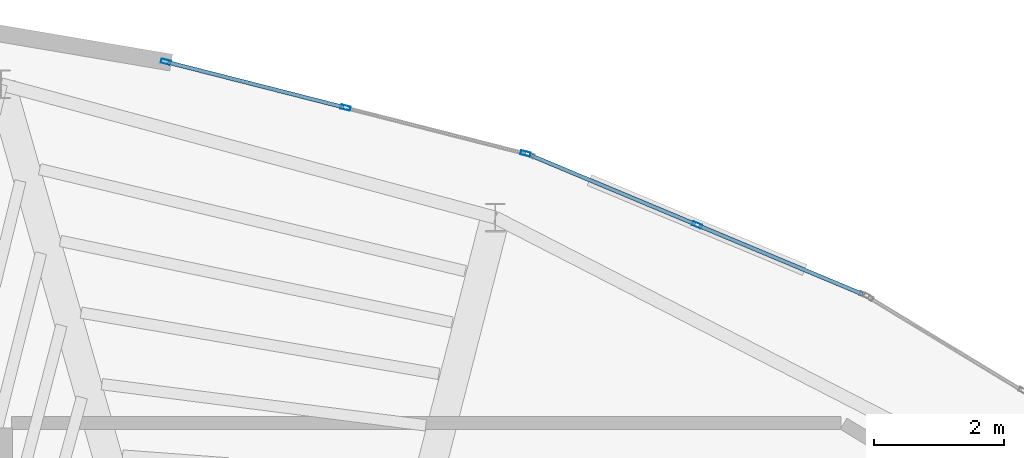
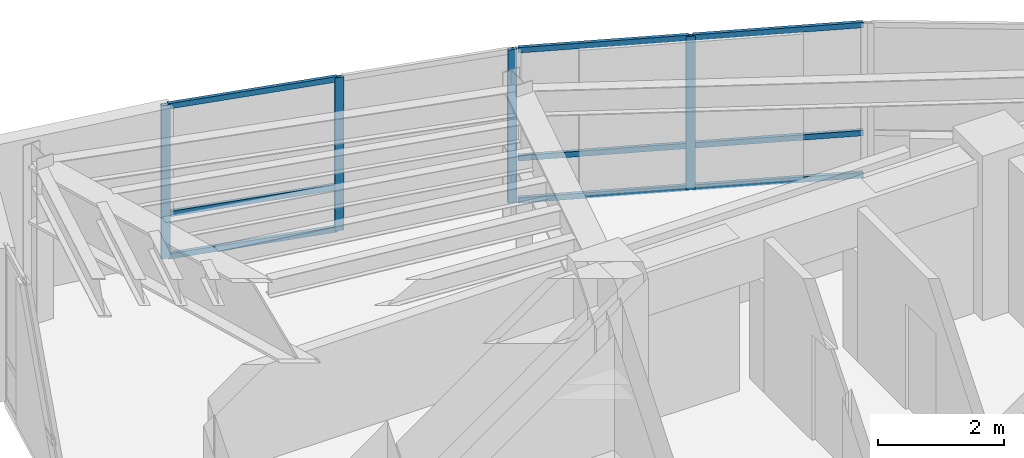
# One storey, part 9 of 14: 13 members, 2 elements without a shape of their own.
"""IFC4 building model written with IfcOpenShell, lengths in metres."""

from ifc_helpers import new_model, si_unit, direction, frame, origin, origin_2d, place, context, subcontext, project, spatial, hollow_rectangle, extrude, material, layer, layer_set, material_profile, profile_set, type_object, element, aggregate, save


model = new_model("IFC4")

# Units and contexts
model_context = context("Model", 3, precision=1e-05, world=origin(), true_north=direction((0.0, 1.0)))
body_context = subcontext(model_context, "Body", "Model", "MODEL_VIEW")
ifc_project = project(units=[si_unit("LENGTHUNIT", "METRE"), si_unit("AREAUNIT", "SQUARE_METRE"), si_unit("VOLUMEUNIT", "CUBIC_METRE"), si_unit("PLANEANGLEUNIT", "RADIAN"), si_unit("MASSUNIT", "GRAM", prefix="KILO")], contexts=[model_context])

# Site, building, storey
site_placement = place(None, origin())
site = spatial("IfcSite", under=ifc_project, at=site_placement, CompositionType="ELEMENT")
building_placement = place(site_placement, origin())
building = spatial("IfcBuilding", under=site, at=building_placement, Name="Menara Vayukalpa", CompositionType="ELEMENT")
storey_placement = place(building_placement, frame((0.0, 0.0, 308.820068359375)))
storey = spatial("IfcBuildingStorey", under=building, at=storey_placement, Name="L79", CompositionType="ELEMENT", Elevation=308.820068359375)

# Curtain wall, member
ifc_material_1 = material(Name="Anodised Terracotta Aluminium Alloy 6063-T6", Category="masonry")
ifc_layer = layer(ifc_material_1, 0.14990234375)
ifc_layer_set = layer_set([ifc_layer], Name="Anodised Terracotta Aluminium Alloy 6063-T6")
curtain_wall_type = type_object("IfcCurtainWallType", Name="CW-CW7", PredefinedType="USERDEFINED", material=ifc_layer_set)
curtain_wall_1_placement = place(storey_placement, origin())
curtain_wall_1 = element("IfcCurtainWall", 1, at=curtain_wall_1_placement, inside=storey, type_object=curtain_wall_type, Name="L79 Crown Drum Screened Curtain Wall CW7 05", ObjectType="UNITISED", PredefinedType="USERDEFINED")
ifc_material_2 = material(Name="Anodised Terracotta Aluminium Alloy 6063-T6", Category="masonry")
ifc_material_profile_1 = material_profile(ifc_material_2, hollow_rectangle(XDim=0.06494140625, YDim=0.14990234375, WallThickness=0.00341796875, at=origin_2d()), Name="ALU 65x150x3.5")
ifc_profile_set_1 = profile_set([ifc_material_profile_1], Name="Anodised Terracotta Aluminium Alloy 6063-T6")
member_type_1 = type_object("IfcMemberType", Name="CWM-CW7", PredefinedType="MULLION", material=ifc_profile_set_1)
member_1_placement = place(storey_placement, frame((26.48583984375, 31.83544921875, 0.0), z_axis=(0.0, 0.0, 1.0), x_axis=(-0.385898361946, -0.922541302191, 0.0)))
member_1 = element("IfcMember", 2, at=member_1_placement, type_object=member_type_1, Name="CW7 mullion 2", PredefinedType="MULLION", context=body_context, shape_type="SweptSolid", body=[
    extrude(hollow_rectangle(XDim=0.06494140625, YDim=0.14990234375, WallThickness=0.00341796875, at=origin_2d()), origin(), (0.0, 0.0, 1.0), 2.97998046875),
])

# Curtain wall, members
curtain_wall_2_placement = place(storey_placement, origin())
curtain_wall_2 = element("IfcCurtainWall", 3, at=curtain_wall_2_placement, inside=storey, type_object=curtain_wall_type, Name="L79 Crown Drum Screened Curtain Wall CW7 06", ObjectType="UNITISED", PredefinedType="USERDEFINED")
member_2_placement = place(storey_placement, frame((23.83837890625, 32.937744140625, 0.0), z_axis=(0.0, 0.0, 1.0), x_axis=(-0.247123764219, -0.968983924097, 0.0)))
member_2 = element("IfcMember", 4, at=member_2_placement, type_object=member_type_1, Name="CW7 mullion 1", PredefinedType="MULLION", context=body_context, shape_type="SweptSolid", body=[
    extrude(hollow_rectangle(XDim=0.06494140625, YDim=0.14990234375, WallThickness=0.00341796875, at=origin_2d()), origin(), (0.0, 0.0, 1.0), 2.97998046875),
])
member_3_placement = place(storey_placement, frame((21.0615234375, 33.645751953125, 0.0), z_axis=(0.0, 0.0, 1.0), x_axis=(-0.247123764219, -0.968983924097, 0.0)))
member_3 = element("IfcMember", 5, at=member_3_placement, type_object=member_type_1, Name="CW7 mullion 2", PredefinedType="MULLION", context=body_context, shape_type="SweptSolid", body=[
    extrude(hollow_rectangle(XDim=0.06494140625, YDim=0.14990234375, WallThickness=0.00341796875, at=origin_2d()), origin(), (0.0, 0.0, 1.0), 2.97998046875),
])
member_4_placement = place(storey_placement, frame((18.284423828125, 34.35400390625, 0.0), z_axis=(0.0, 0.0, 1.0), x_axis=(-0.247123764219, -0.968983924097, 0.0)))
member_4 = element("IfcMember", 6, at=member_4_placement, type_object=member_type_1, Name="CW7 mullion 3", PredefinedType="MULLION", context=body_context, shape_type="SweptSolid", body=[
    extrude(hollow_rectangle(XDim=0.06494140625, YDim=0.14990234375, WallThickness=0.00341796875, at=origin_2d()), origin(), (0.0, 0.0, 1.0), 2.97998046875),
])

# Member
ifc_material_3 = material(Name="Anodised Terracotta Aluminium Alloy 6063-T6", Category="masonry")
ifc_material_profile_2 = material_profile(ifc_material_3, hollow_rectangle(XDim=0.06005859375, YDim=0.10498046875, WallThickness=0.0029296875, at=origin_2d()), Name="ALU 60x105x3")
ifc_profile_set_2 = profile_set([ifc_material_profile_2], Name="Anodised Terracotta Aluminium Alloy 6063-T6")
member_type_2 = type_object("IfcMemberType", Name="CWT-CW7", PredefinedType="USERDEFINED", material=ifc_profile_set_2)
member_5_placement = place(storey_placement, frame((29.041748046875, 30.76611328125, 0.030029296875), z_axis=(-0.922532551431, 0.385919281132, 0.0), x_axis=(-0.385919281132, -0.922532551431, 0.0)))
member_5 = element("IfcMember", 7, at=member_5_placement, type_object=member_type_2, Name="CW7 transom 1.1", ObjectType="TRANSOM", PredefinedType="USERDEFINED", context=body_context, shape_type="SweptSolid", body=[
    extrude(hollow_rectangle(XDim=0.06005859375, YDim=0.10498046875, WallThickness=0.0029296875, at=origin_2d()), origin(), (0.0, 0.0, 1.0), 2.738037109375),
])

member_6_placement = place(storey_placement, frame((29.041748046875, 30.76611328125, 0.849853515625), z_axis=(-0.922532551431, 0.385919281132, 0.0), x_axis=(-0.385919281132, -0.922532551431, 0.0)))
member_6 = element("IfcMember", 8, at=member_6_placement, type_object=member_type_2, Name="CW7 transom 1.2", ObjectType="TRANSOM", PredefinedType="USERDEFINED", context=body_context, shape_type="SweptSolid", body=[
    extrude(hollow_rectangle(XDim=0.06005859375, YDim=0.10498046875, WallThickness=0.0029296875, at=origin_2d()), origin(), (0.0, 0.0, 1.0), 2.738037109375),
])

member_7_placement = place(storey_placement, frame((29.041748046875, 30.76611328125, 2.949951171875), z_axis=(-0.922532551431, 0.385919281132, 0.0), x_axis=(-0.385919281132, -0.922532551431, 0.0)))
member_7 = element("IfcMember", 9, at=member_7_placement, type_object=member_type_2, Name="CW7 transom 1.3", ObjectType="TRANSOM", PredefinedType="USERDEFINED", context=body_context, shape_type="SweptSolid", body=[
    extrude(hollow_rectangle(XDim=0.06005859375, YDim=0.10498046875, WallThickness=0.0029296875, at=origin_2d()), origin(), (0.0, 0.0, 1.0), 2.738037109375),
])

member_8_placement = place(storey_placement, frame((26.455810546875, 31.847900390625, 0.030029296875), z_axis=(-0.922532551431, 0.385919281132, 0.0), x_axis=(-0.385919281132, -0.922532551431, 0.0)))
member_8 = element("IfcMember", 10, at=member_8_placement, type_object=member_type_2, Name="CW7 transom 2.1", ObjectType="TRANSOM", PredefinedType="USERDEFINED", context=body_context, shape_type="SweptSolid", body=[
    extrude(hollow_rectangle(XDim=0.06005859375, YDim=0.10498046875, WallThickness=0.0029296875, at=origin_2d()), origin(), (0.0, 0.0, 1.0), 2.738037109375),
])

member_9_placement = place(storey_placement, frame((26.455810546875, 31.847900390625, 0.849853515625), z_axis=(-0.922532551431, 0.385919281132, 0.0), x_axis=(-0.385919281132, -0.922532551431, 0.0)))
member_9 = element("IfcMember", 11, at=member_9_placement, type_object=member_type_2, Name="CW7 transom 2.2", ObjectType="TRANSOM", PredefinedType="USERDEFINED", context=body_context, shape_type="SweptSolid", body=[
    extrude(hollow_rectangle(XDim=0.06005859375, YDim=0.10498046875, WallThickness=0.0029296875, at=origin_2d()), origin(), (0.0, 0.0, 1.0), 2.738037109375),
])

member_10_placement = place(storey_placement, frame((26.455810546875, 31.847900390625, 2.949951171875), z_axis=(-0.922532551431, 0.385919281132, 0.0), x_axis=(-0.385919281132, -0.922532551431, 0.0)))
member_10 = element("IfcMember", 12, at=member_10_placement, type_object=member_type_2, Name="CW7 transom 2.3", ObjectType="TRANSOM", PredefinedType="USERDEFINED", context=body_context, shape_type="SweptSolid", body=[
    extrude(hollow_rectangle(XDim=0.06005859375, YDim=0.10498046875, WallThickness=0.0029296875, at=origin_2d()), origin(), (0.0, 0.0, 1.0), 2.738037109375),
])

aggregate(curtain_wall_1, [member_1, member_5, member_6, member_7, member_8, member_9, member_10])

member_11_placement = place(storey_placement, frame((21.030029296875, 33.65380859375, 0.030029296875), z_axis=(-0.968988349591, 0.247106411, 0.0), x_axis=(-0.247106411, -0.968988349591, 0.0)))
member_11 = element("IfcMember", 13, at=member_11_placement, type_object=member_type_2, Name="CW7 transom 2.1", ObjectType="TRANSOM", PredefinedType="USERDEFINED", context=body_context, shape_type="SweptSolid", body=[
    extrude(hollow_rectangle(XDim=0.06005859375, YDim=0.10498046875, WallThickness=0.0029296875, at=origin_2d()), origin(), (0.0, 0.0, 1.0), 2.801025390625),
])

member_12_placement = place(storey_placement, frame((21.030029296875, 33.65380859375, 0.849853515625), z_axis=(-0.968988349591, 0.247106411, 0.0), x_axis=(-0.247106411, -0.968988349591, 0.0)))
member_12 = element("IfcMember", 14, at=member_12_placement, type_object=member_type_2, Name="CW7 transom 2.2", ObjectType="TRANSOM", PredefinedType="USERDEFINED", context=body_context, shape_type="SweptSolid", body=[
    extrude(hollow_rectangle(XDim=0.06005859375, YDim=0.10498046875, WallThickness=0.0029296875, at=origin_2d()), origin(), (0.0, 0.0, 1.0), 2.801025390625),
])

member_13_placement = place(storey_placement, frame((21.030029296875, 33.65380859375, 2.949951171875), z_axis=(-0.968988349591, 0.247106411, 0.0), x_axis=(-0.247106411, -0.968988349591, 0.0)))
member_13 = element("IfcMember", 15, at=member_13_placement, type_object=member_type_2, Name="CW7 transom 2.3", ObjectType="TRANSOM", PredefinedType="USERDEFINED", context=body_context, shape_type="SweptSolid", body=[
    extrude(hollow_rectangle(XDim=0.06005859375, YDim=0.10498046875, WallThickness=0.0029296875, at=origin_2d()), origin(), (0.0, 0.0, 1.0), 2.801025390625),
])

aggregate(curtain_wall_2, [member_2, member_3, member_4, member_11, member_12, member_13])

save(model, "model.ifc")
